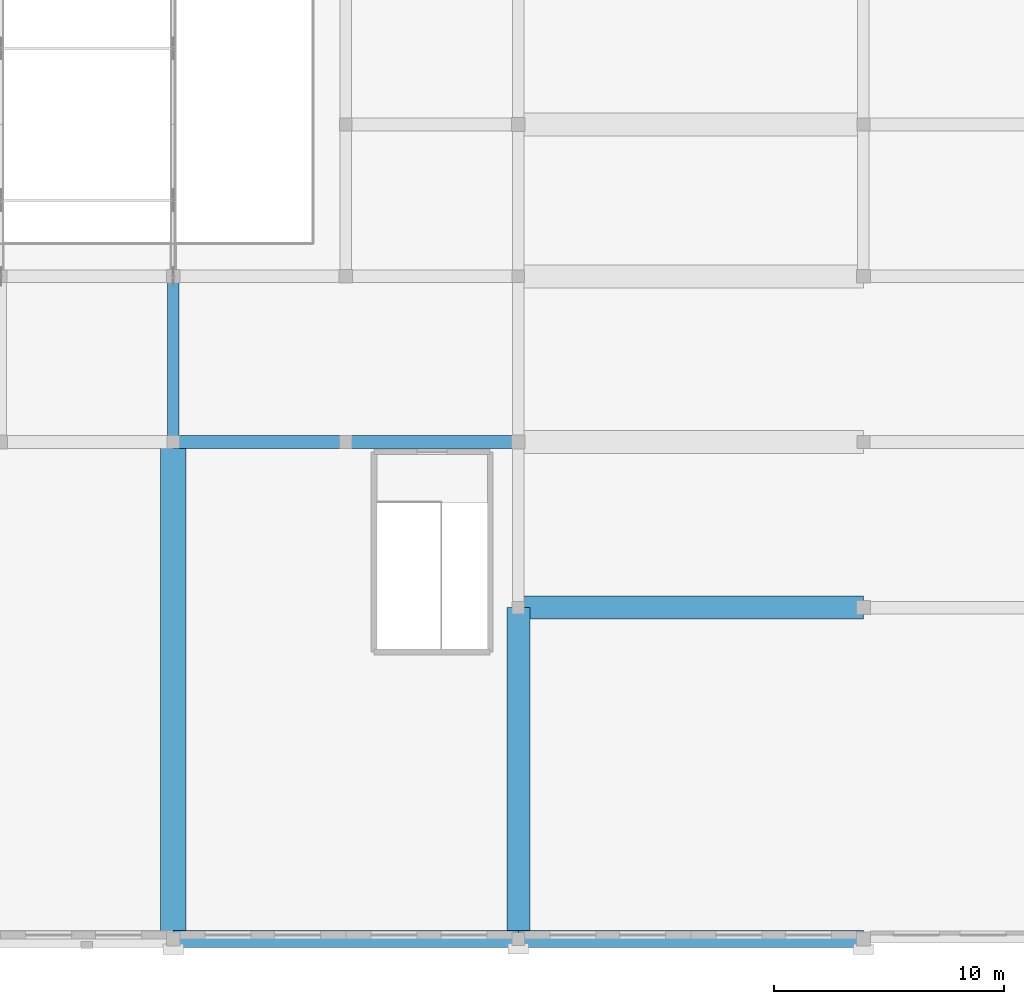
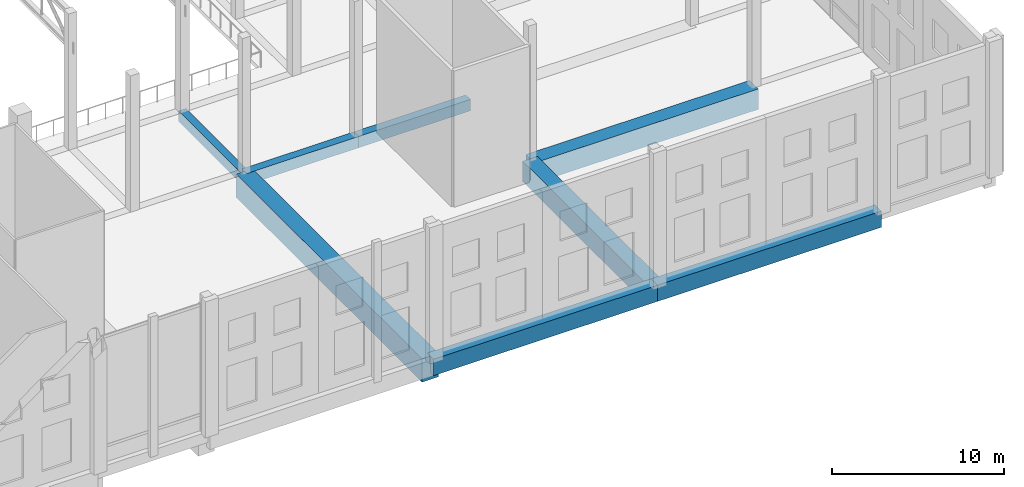
# One storey, part 40 of 80: 8 beams.
"""IFC4 building model written with IfcOpenShell, lengths in metres."""

from ifc_helpers import new_model, si_unit, direction, frame, origin, origin_2d, place, context, subcontext, project, spatial, rectangle, extrude, material, material_profile, profile_set, type_object, element, save


model = new_model("IFC4")

# Units and contexts
model_context = context("Model", 3, precision=1e-05, world=origin(), true_north=direction((0.0, 1.0)))
body_context = subcontext(model_context, "Body", "Model", "MODEL_VIEW")
ifc_project = project(units=[si_unit("LENGTHUNIT", "METRE"), si_unit("AREAUNIT", "SQUARE_METRE"), si_unit("VOLUMEUNIT", "CUBIC_METRE"), si_unit("PLANEANGLEUNIT", "RADIAN"), si_unit("MASSUNIT", "GRAM", prefix="KILO")], contexts=[model_context])

# Site, building, storey
site_placement = place(None, origin())
site = spatial("IfcSite", under=ifc_project, at=site_placement, CompositionType="ELEMENT")
building_placement = place(site_placement, origin())
building = spatial("IfcBuilding", under=site, at=building_placement, Name="Akrevak Sports Hall", CompositionType="ELEMENT")
storey_placement = place(building_placement, frame((0.0, 0.0, 14.0)))
storey = spatial("IfcBuildingStorey", under=building, at=storey_placement, Name="L03", CompositionType="ELEMENT", Elevation=14.0)

# Beams
ifc_material_1 = material(Name="Concrete C50/60", Category="concrete")
ifc_material_profile_1 = material_profile(ifc_material_1, rectangle(XDim=1.0, YDim=1.449951171875, at=origin_2d()), Name="BM 1000x1450", Category="concrete")
ifc_profile_set_1 = profile_set([ifc_material_profile_1], Name="Concrete C50/60")
beam_type_1 = type_object("IfcBeamType", Name="STR-BM-LG1000x1450", PredefinedType="BEAM", material=ifc_profile_set_1)
beam_1_placement = place(storey_placement, frame((145.5, 14.39990234375, -0.72509765625), z_axis=(1.0, 0.0, 0.0), x_axis=(0.0, 1.0, 0.0)))
element("IfcBeam", 1, at=beam_1_placement, inside=storey, type_object=beam_type_1, Name="Girder C/20-22 (L03)", PredefinedType="BEAM", context=body_context, shape_type="SweptSolid", body=[
    extrude(rectangle(XDim=1.0, YDim=1.449951171875, at=origin_2d()), origin(), (0.0, 0.0, 1.0), 15.0),
])
beam_2_placement = place(storey_placement, frame((145.5, 0.0, -0.72509765625), z_axis=(0.0, 1.0, 0.0), x_axis=(-1.0, 0.0, 0.0)))
element("IfcBeam", 2, at=beam_2_placement, inside=storey, type_object=beam_type_1, Name="Girder 20/A-C (L03)", PredefinedType="BEAM", context=body_context, shape_type="SweptSolid", body=[
    extrude(rectangle(XDim=1.0, YDim=1.449951171875, at=origin_2d()), origin(), (0.0, 0.0, 1.0), 14.39990234375),
])
ifc_material_profile_2 = material_profile(ifc_material_1, rectangle(XDim=1.10009765625, YDim=1.64990234375, at=origin_2d()), Name="BM 1100x1650", Category="concrete")
ifc_profile_set_2 = profile_set([ifc_material_profile_2], Name="Concrete C50/60")
beam_type_2 = type_object("IfcBeamType", Name="STR-BM-LG1100x1650", PredefinedType="BEAM", material=ifc_profile_set_2)
beam_3_placement = place(storey_placement, frame((130.5, 0.0, -0.824951171875), z_axis=(0.0, 1.0, 0.0), x_axis=(-1.0, 0.0, 0.0)))
element("IfcBeam", 3, at=beam_3_placement, inside=storey, type_object=beam_type_2, Name="Girder 18/A-D (L03)", PredefinedType="BEAM", context=body_context, shape_type="SweptSolid", body=[
    extrude(rectangle(XDim=1.10009765625, YDim=1.64990234375, at=origin_2d()), origin(), (0.0, 0.0, 1.0), 21.60009765625),
])
ifc_material_2 = material(Name="Concrete C40/50", Category="concrete")
ifc_material_profile_3 = material_profile(ifc_material_2, rectangle(XDim=0.5, YDim=0.75, at=origin_2d()), Name="BM 500x750", Category="concrete")
ifc_profile_set_3 = profile_set([ifc_material_profile_3], Name="Concrete C40/50")
beam_type_3 = type_object("IfcBeamType", Name="STR-BM-RC500x750", PredefinedType="BEAM", material=ifc_profile_set_3)
beam_4_placement = place(storey_placement, frame((130.5, 21.60009765625, -0.375), z_axis=(0.0, 1.0, 0.0), x_axis=(-1.0, 0.0, 0.0)))
element("IfcBeam", 4, at=beam_4_placement, inside=storey, type_object=beam_type_3, Name="Girder 18/D-E (L03)", PredefinedType="BEAM", context=body_context, shape_type="SweptSolid", body=[
    extrude(rectangle(XDim=0.5, YDim=0.75, at=origin_2d()), origin(), (0.0, 0.0, 1.0), 7.199951171875),
])
ifc_material_profile_4 = material_profile(ifc_material_2, rectangle(XDim=0.550048828125, YDim=0.800048828125, at=origin_2d()), Name="BM 550x800", Category="concrete")
ifc_profile_set_4 = profile_set([ifc_material_profile_4], Name="Concrete C40/50")
beam_type_4 = type_object("IfcBeamType", Name="STR-BM-RC550x800", PredefinedType="BEAM", material=ifc_profile_set_4)
for number, where, z_axis, x_axis, name in (
    (5, (130.5, 21.60009765625, -0.39990234375), (1.0, 0.0, 0.0), (0.0, 1.0, 0.0), "Girder D/18-19 (L03)"),
    (6, (138.0, 21.60009765625, -0.39990234375), (1.0, 0.0, 0.0), (0.0, 1.0, 0.0), "Girder D/19-20 (L03)"),
):
    element("IfcBeam", number, at=place(storey_placement, frame(where, z_axis=z_axis, x_axis=x_axis)), inside=storey, type_object=beam_type_4, Name=name, PredefinedType="BEAM", context=body_context, shape_type="SweptSolid", body=[
        extrude(rectangle(XDim=0.550048828125, YDim=0.800048828125, at=origin_2d()), origin(), (0.0, 0.0, 1.0), 7.5),
    ])
ifc_material_profile_5 = material_profile(ifc_material_1, rectangle(XDim=0.75, YDim=1.14990234375, at=origin_2d()), Name="SPD 750x1150", Category="concrete")
ifc_profile_set_5 = profile_set([ifc_material_profile_5], Name="Concrete C50/60")
beam_type_5 = type_object("IfcBeamType", Name="STR-SPD-LSP750x1150", PredefinedType="SPANDREL", material=ifc_profile_set_5)
for number, where, z_axis, x_axis, name in (
    (7, (130.5, 0.0, -0.574951171875), (1.0, 0.0, 0.0), (0.0, 1.0, 0.0), "Girder A/18-20 (L03)"),
    (8, (145.5, 0.0, -0.574951171875), (1.0, 0.0, 0.0), (0.0, 1.0, 0.0), "Girder A/20-22 (L03)"),
):
    element("IfcBeam", number, at=place(storey_placement, frame(where, z_axis=z_axis, x_axis=x_axis)), inside=storey, type_object=beam_type_5, Name=name, PredefinedType="SPANDREL", context=body_context, shape_type="SweptSolid", body=[
        extrude(rectangle(XDim=0.75, YDim=1.14990234375, at=origin_2d()), origin(), (0.0, 0.0, 1.0), 15.0),
    ])

save(model, "model.ifc")
